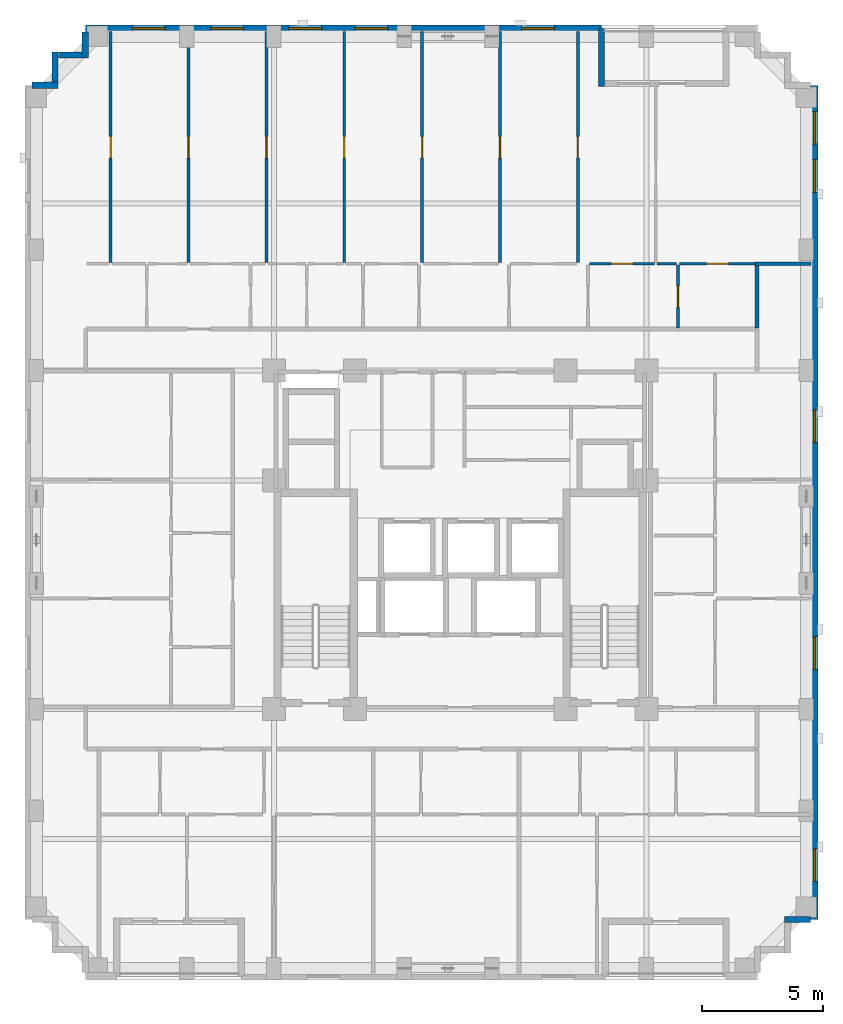
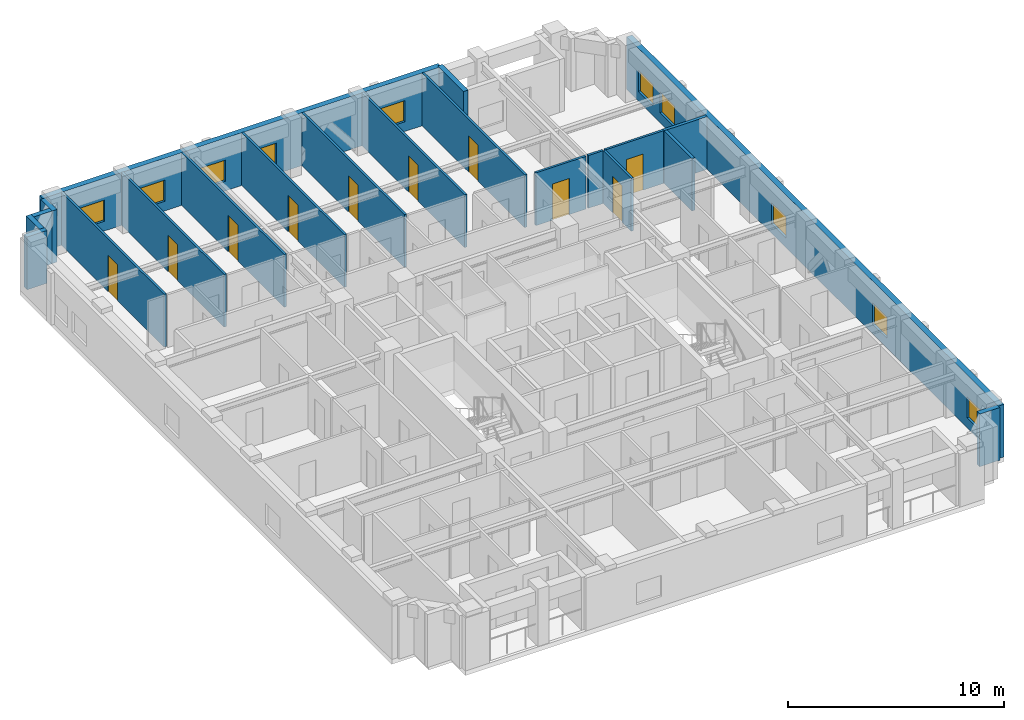
# One storey, part 7 of 11: 21 walls, 10 doors, 10 windows, 20 openings.
"""IFC4 building model written with IfcOpenShell, lengths in metres."""

from ifc_helpers import new_model, si_unit, derived_unit, direction, frame, frame_2d, origin, place, context, subcontext, project, spatial, rectangle, extrude, material, layer, layer_set, type_object, element, fill, save


model = new_model("IFC4")

# Units and contexts
model_context = context("Model", 3, precision=1e-05, world=origin(), true_north=direction((0.0, 1.0)))
body_context = subcontext(model_context, "Body", "Model", "MODEL_VIEW")
ifc_project = project(units=[si_unit("LENGTHUNIT", "METRE"), si_unit("AREAUNIT", "SQUARE_METRE"), si_unit("VOLUMEUNIT", "CUBIC_METRE"), si_unit("PLANEANGLEUNIT", "RADIAN"), si_unit("MASSUNIT", "GRAM", prefix="KILO"), derived_unit("THERMALTRANSMITTANCEUNIT", [(si_unit("MASSUNIT", "GRAM", prefix="KILO"), 1), (si_unit("TIMEUNIT", "SECOND"), -3), (si_unit("THERMODYNAMICTEMPERATUREUNIT", "KELVIN"), -1)])], contexts=[model_context])

# Site, building, storey
site_placement = place(None, origin())
site = spatial("IfcSite", under=ifc_project, at=site_placement, CompositionType="ELEMENT")
building_placement = place(site_placement, origin())
building = spatial("IfcBuilding", under=site, at=building_placement, Name="Korrvale Station Residences", CompositionType="ELEMENT")
storey_placement = place(building_placement, frame((0.0, 0.0, 160.14990234375)))
storey = spatial("IfcBuildingStorey", under=building, at=storey_placement, Name="L46", CompositionType="ELEMENT", Elevation=160.14990234375)

# Walls
ifc_material_1 = material(Name="Precast concrete C45/55", Category="concrete")
ifc_layer_1 = layer(ifc_material_1, 0.260009765625, Name="Precast concrete C45/55")
ifc_layer_set_1 = layer_set([ifc_layer_1], Name="Precast concrete C45/55")
wall_type_1 = type_object("IfcWallType", Name="WAL-EXT-LOG260", PredefinedType="SOLIDWALL", material=ifc_layer_set_1)
wall_1_placement = place(storey_placement, frame((31.35009765625, 43.139892578125, 0.0), z_axis=(0.0, 0.0, 1.0), x_axis=(0.0, -1.0, 0.0)))
element("IfcWall", 1, at=wall_1_placement, inside=storey, type_object=wall_type_1, Name="L46 Recessed Loggia Wall BAL-L46-N1-L", PredefinedType="SOLIDWALL", context=body_context, shape_type="SweptSolid", body=[
    extrude(rectangle(XDim=2.39990234375, YDim=0.260009765625, at=frame_2d((1.199951171875, 0.0))), origin(), (0.0, 0.0, 1.0), 2.989990234375),
])
wall_2_placement = place(storey_placement, frame((7.802001953125, 40.800048828125, 0.0), z_axis=(0.0, 0.0, 1.0), x_axis=(1.0, 0.0, 0.0)))
element("IfcWall", 2, at=wall_2_placement, inside=storey, type_object=wall_type_1, Name="L46 Serrated Corner Precast Step NW-1", PredefinedType="SOLIDWALL", context=body_context, shape_type="SweptSolid", body=[
    extrude(rectangle(XDim=1.077880859375, YDim=0.260009765625, at=frame_2d((0.5390625, 0.0))), origin(), (0.0, 0.0, 1.0), 2.989990234375),
])
wall_3_placement = place(storey_placement, frame((8.75, 40.931884765625, 0.0), z_axis=(0.0, 0.0, 1.0), x_axis=(0.0, 1.0, 0.0)))
element("IfcWall", 3, at=wall_3_placement, inside=storey, type_object=wall_type_1, Name="L46 Serrated Corner Precast Step NW-2", PredefinedType="SOLIDWALL", context=body_context, shape_type="SweptSolid", body=[
    extrude(rectangle(XDim=1.248046875, YDim=0.260009765625, at=frame_2d((0.6240234375, 0.0))), origin(), (0.0, 0.0, 1.0), 2.989990234375),
])
wall_4_placement = place(storey_placement, frame((8.882080078125, 42.050048828125, 0.0), z_axis=(0.0, 0.0, 1.0), x_axis=(1.0, 0.0, 0.0)))
element("IfcWall", 4, at=wall_4_placement, inside=storey, type_object=wall_type_1, Name="L46 Serrated Corner Precast Step NW-3", PredefinedType="SOLIDWALL", context=body_context, shape_type="SweptSolid", body=[
    extrude(rectangle(XDim=0.98583984375, YDim=0.260009765625, at=frame_2d((0.492919921875, 0.0))), origin(), (0.0, 0.0, 1.0), 2.989990234375),
])
for number, where, z_axis, x_axis, name in (
    (5, (10.0, 41.919921875, 0.0), (0.0, 0.0, 1.0), (0.0, 1.0, 0.0), "L46 Serrated Corner Precast Step NW-4"),
    (6, (39.998046875, 6.300048828125, 0.0), (0.0, 0.0, 1.0), (-1.0, 0.0, 0.0), "L46 Serrated Corner Precast Step SE-1"),
):
    element("IfcWall", number, at=place(storey_placement, frame(where, z_axis=z_axis, x_axis=x_axis)), inside=storey, type_object=wall_type_1, Name=name, PredefinedType="SOLIDWALL", context=body_context, shape_type="SweptSolid", body=[
        extrude(rectangle(XDim=1.078125, YDim=0.260009765625, at=frame_2d((0.5390625, 0.0))), origin(), (0.0, 0.0, 1.0), 2.989990234375),
    ])

# Wall, openings, windows
ifc_layer_2 = layer(ifc_material_1, 0.300048828125, Name="Precast concrete C45/55")
ifc_layer_set_2 = layer_set([ifc_layer_2], Name="Precast concrete C45/55")
wall_type_2 = type_object("IfcWallType", Name="WAL-EXT-PC300", PredefinedType="SOLIDWALL", material=ifc_layer_set_2)
wall_5_placement = place(storey_placement, frame((10.0, 43.14990234375, 0.0), z_axis=(0.0, 0.0, 1.0), x_axis=(1.0, 0.0, 0.0)))
wall_5 = element("IfcWall", 7, at=wall_5_placement, inside=storey, type_object=wall_type_2, Name="L46 North Exterior Precast Wall 1", PredefinedType="SOLIDWALL", context=body_context, shape_type="SweptSolid", body=[
    extrude(rectangle(XDim=21.35009765625, YDim=0.300048828125, at=frame_2d((10.675048828125, 0.0))), origin(), (0.0, 0.0, 1.0), 2.989990234375),
])
opening_1_placement = place(wall_5_placement, frame((1.9560546875, 0.0, 0.550048828125)))
opening_1 = element("IfcOpeningElement", 8, at=opening_1_placement, cuts=wall_5, Name="Opening W-10", PredefinedType="OPENING", context=body_context, shape_type="SweptSolid", body=[
    extrude(rectangle(XDim=1.35009765625, YDim=1.199951171875, at=frame_2d((0.675048828125, 0.60009765625))), frame((0.0, 0.16015625, 0.0), z_axis=(0.0, -1.0, 0.0), x_axis=(1.0, 0.0, 0.0)), (0.0, 0.0, 1.0), 0.320068359375),
])
opening_2_placement = place(wall_5_placement, frame((5.18896484375, 0.0, 0.550048828125)))
opening_2 = element("IfcOpeningElement", 9, at=opening_2_placement, cuts=wall_5, Name="Opening W-10", PredefinedType="OPENING", context=body_context, shape_type="SweptSolid", body=[
    extrude(rectangle(XDim=1.35009765625, YDim=1.199951171875, at=frame_2d((0.675048828125, 0.60009765625))), frame((0.0, 0.16015625, 0.0), z_axis=(0.0, -1.0, 0.0), x_axis=(1.0, 0.0, 0.0)), (0.0, 0.0, 1.0), 0.320068359375),
])
opening_3_placement = place(wall_5_placement, frame((8.4208984375, 0.0, 0.550048828125)))
opening_3 = element("IfcOpeningElement", 10, at=opening_3_placement, cuts=wall_5, Name="Opening W-10", PredefinedType="OPENING", context=body_context, shape_type="SweptSolid", body=[
    extrude(rectangle(XDim=1.35009765625, YDim=1.199951171875, at=frame_2d((0.675048828125, 0.60009765625))), frame((0.0, 0.16015625, 0.0), z_axis=(0.0, -1.0, 0.0), x_axis=(1.0, 0.0, 0.0)), (0.0, 0.0, 1.0), 0.320068359375),
])
opening_4_placement = place(wall_5_placement, frame((11.14990234375, 0.0, 0.550048828125)))
opening_4 = element("IfcOpeningElement", 11, at=opening_4_placement, cuts=wall_5, Name="Opening W-10", PredefinedType="OPENING", context=body_context, shape_type="SweptSolid", body=[
    extrude(rectangle(XDim=1.35009765625, YDim=1.199951171875, at=frame_2d((0.675048828125, 0.60009765625))), frame((0.0, 0.16015625, 0.0), z_axis=(0.0, -1.0, 0.0), x_axis=(1.0, 0.0, 0.0)), (0.0, 0.0, 1.0), 0.320068359375),
])
opening_5_placement = place(wall_5_placement, frame((18.0439453125, 0.0, 0.550048828125)))
opening_5 = element("IfcOpeningElement", 12, at=opening_5_placement, cuts=wall_5, Name="Opening W-10", PredefinedType="OPENING", context=body_context, shape_type="SweptSolid", body=[
    extrude(rectangle(XDim=1.35009765625, YDim=1.199951171875, at=frame_2d((0.675048828125, 0.60009765625))), frame((0.0, 0.16015625, 0.0), z_axis=(0.0, -1.0, 0.0), x_axis=(1.0, 0.0, 0.0)), (0.0, 0.0, 1.0), 0.320068359375),
])
ifc_material_2 = material(Name="Thermally broken aluminium frame with triple low-e glazing", Category="aluminium")
window_type = type_object("IfcWindowType", Name="WIN-W10", PartitioningType="SINGLE_PANEL", PredefinedType="WINDOW", material=ifc_material_2)
window_1_placement = place(opening_1_placement, origin())
window_1 = element("IfcWindow", 13, at=window_1_placement, inside=storey, type_object=window_type, Name="L46 Punched Window 08", OverallHeight=1.199951171875, OverallWidth=1.35009765625, PartitioningType="SINGLE_PANEL", PredefinedType="WINDOW", context=body_context, shape_type="SweptSolid", body=[
    extrude(rectangle(XDim=1.35009765625, YDim=1.199951171875, at=frame_2d((0.675048828125, 0.60009765625))), frame((0.0, 0.030029296875, 0.0), z_axis=(0.0, -1.0, 0.0), x_axis=(1.0, 0.0, 0.0)), (0.0, 0.0, 1.0), 0.06005859375),
])
fill(opening_1, window_1)
window_2_placement = place(opening_2_placement, origin())
window_2 = element("IfcWindow", 14, at=window_2_placement, inside=storey, type_object=window_type, Name="L46 Punched Window 09", OverallHeight=1.199951171875, OverallWidth=1.35009765625, PartitioningType="SINGLE_PANEL", PredefinedType="WINDOW", context=body_context, shape_type="SweptSolid", body=[
    extrude(rectangle(XDim=1.35009765625, YDim=1.199951171875, at=frame_2d((0.675048828125, 0.60009765625))), frame((0.0, 0.030029296875, 0.0), z_axis=(0.0, -1.0, 0.0), x_axis=(1.0, 0.0, 0.0)), (0.0, 0.0, 1.0), 0.06005859375),
])
fill(opening_2, window_2)
window_3_placement = place(opening_3_placement, origin())
window_3 = element("IfcWindow", 15, at=window_3_placement, inside=storey, type_object=window_type, Name="L46 Punched Window 10", OverallHeight=1.199951171875, OverallWidth=1.35009765625, PartitioningType="SINGLE_PANEL", PredefinedType="WINDOW", context=body_context, shape_type="SweptSolid", body=[
    extrude(rectangle(XDim=1.35009765625, YDim=1.199951171875, at=frame_2d((0.675048828125, 0.60009765625))), frame((0.0, 0.030029296875, 0.0), z_axis=(0.0, -1.0, 0.0), x_axis=(1.0, 0.0, 0.0)), (0.0, 0.0, 1.0), 0.06005859375),
])
fill(opening_3, window_3)
window_4_placement = place(opening_4_placement, origin())
window_4 = element("IfcWindow", 16, at=window_4_placement, inside=storey, type_object=window_type, Name="L46 Punched Window 11", OverallHeight=1.199951171875, OverallWidth=1.35009765625, PartitioningType="SINGLE_PANEL", PredefinedType="WINDOW", context=body_context, shape_type="SweptSolid", body=[
    extrude(rectangle(XDim=1.35009765625, YDim=1.199951171875, at=frame_2d((0.675048828125, 0.60009765625))), frame((0.0, 0.030029296875, 0.0), z_axis=(0.0, -1.0, 0.0), x_axis=(1.0, 0.0, 0.0)), (0.0, 0.0, 1.0), 0.06005859375),
])
fill(opening_4, window_4)
window_5_placement = place(opening_5_placement, origin())
window_5 = element("IfcWindow", 17, at=window_5_placement, inside=storey, type_object=window_type, Name="L46 Punched Window 12", OverallHeight=1.199951171875, OverallWidth=1.35009765625, PartitioningType="SINGLE_PANEL", PredefinedType="WINDOW", context=body_context, shape_type="SweptSolid", body=[
    extrude(rectangle(XDim=1.35009765625, YDim=1.199951171875, at=frame_2d((0.675048828125, 0.60009765625))), frame((0.0, 0.030029296875, 0.0), z_axis=(0.0, -1.0, 0.0), x_axis=(1.0, 0.0, 0.0)), (0.0, 0.0, 1.0), 0.06005859375),
])
fill(opening_5, window_5)

wall_6_placement = place(storey_placement, frame((40.14990234375, 40.800048828125, 0.0), z_axis=(0.0, 0.0, 1.0), x_axis=(0.0, -1.0, 0.0)))
wall_6 = element("IfcWall", 18, at=wall_6_placement, inside=storey, type_object=wall_type_2, Name="L46 East Exterior Precast Wall 1", PredefinedType="SOLIDWALL", context=body_context, shape_type="SweptSolid", body=[
    extrude(rectangle(XDim=34.5, YDim=0.300048828125, at=frame_2d((17.25, 0.0))), origin(), (0.0, 0.0, 1.0), 2.989990234375),
])
opening_6_placement = place(wall_6_placement, frame((31.574951171875, 0.0, 0.550048828125)))
opening_6 = element("IfcOpeningElement", 19, at=opening_6_placement, cuts=wall_6, Name="Opening W-10", PredefinedType="OPENING", context=body_context, shape_type="SweptSolid", body=[
    extrude(rectangle(XDim=1.35009765625, YDim=1.199951171875, at=frame_2d((0.675048828125, 0.60009765625))), frame((0.0, 0.16015625, 0.0), z_axis=(0.0, -1.0, 0.0), x_axis=(1.0, 0.0, 0.0)), (0.0, 0.0, 1.0), 0.320068359375),
])
opening_7_placement = place(wall_6_placement, frame((3.074951171875, 0.0, 0.550048828125)))
opening_7 = element("IfcOpeningElement", 20, at=opening_7_placement, cuts=wall_6, Name="Opening W-10", PredefinedType="OPENING", context=body_context, shape_type="SweptSolid", body=[
    extrude(rectangle(XDim=1.35009765625, YDim=1.199951171875, at=frame_2d((0.675048828125, 0.60009765625))), frame((0.0, 0.16015625, 0.0), z_axis=(0.0, -1.0, 0.0), x_axis=(1.0, 0.0, 0.0)), (0.0, 0.0, 1.0), 0.320068359375),
])
opening_8_placement = place(wall_6_placement, frame((1.0849609375, 0.0, 0.550048828125)))
opening_8 = element("IfcOpeningElement", 21, at=opening_8_placement, cuts=wall_6, Name="Opening W-10", PredefinedType="OPENING", context=body_context, shape_type="SweptSolid", body=[
    extrude(rectangle(XDim=1.35009765625, YDim=1.199951171875, at=frame_2d((0.675048828125, 0.60009765625))), frame((0.0, 0.16015625, 0.0), z_axis=(0.0, -1.0, 0.0), x_axis=(1.0, 0.0, 0.0)), (0.0, 0.0, 1.0), 0.320068359375),
])
opening_9_placement = place(wall_6_placement, frame((22.800048828125, 0.0, 0.550048828125)))
opening_9 = element("IfcOpeningElement", 22, at=opening_9_placement, cuts=wall_6, Name="Opening W-10", PredefinedType="OPENING", context=body_context, shape_type="SweptSolid", body=[
    extrude(rectangle(XDim=1.35009765625, YDim=1.199951171875, at=frame_2d((0.675048828125, 0.60009765625))), frame((0.0, 0.16015625, 0.0), z_axis=(0.0, -1.0, 0.0), x_axis=(1.0, 0.0, 0.0)), (0.0, 0.0, 1.0), 0.320068359375),
])
opening_10_placement = place(wall_6_placement, frame((13.425048828125, 0.0, 0.550048828125)))
opening_10 = element("IfcOpeningElement", 23, at=opening_10_placement, cuts=wall_6, Name="Opening W-10", PredefinedType="OPENING", context=body_context, shape_type="SweptSolid", body=[
    extrude(rectangle(XDim=1.35009765625, YDim=1.199951171875, at=frame_2d((0.675048828125, 0.60009765625))), frame((0.0, 0.16015625, 0.0), z_axis=(0.0, -1.0, 0.0), x_axis=(1.0, 0.0, 0.0)), (0.0, 0.0, 1.0), 0.320068359375),
])
window_6_placement = place(opening_6_placement, origin())
window_6 = element("IfcWindow", 24, at=window_6_placement, inside=storey, type_object=window_type, Name="L46 Punched Window 05", OverallHeight=1.199951171875, OverallWidth=1.35009765625, PartitioningType="SINGLE_PANEL", PredefinedType="WINDOW", context=body_context, shape_type="SweptSolid", body=[
    extrude(rectangle(XDim=1.35009765625, YDim=1.199951171875, at=frame_2d((0.675048828125, 0.60009765625))), frame((0.0, 0.030029296875, 0.0), z_axis=(0.0, -1.0, 0.0), x_axis=(1.0, 0.0, 0.0)), (0.0, 0.0, 1.0), 0.06005859375),
])
fill(opening_6, window_6)
window_7_placement = place(opening_7_placement, origin())
window_7 = element("IfcWindow", 25, at=window_7_placement, inside=storey, type_object=window_type, Name="L46 Punched Window 14", OverallHeight=1.199951171875, OverallWidth=1.35009765625, PartitioningType="SINGLE_PANEL", PredefinedType="WINDOW", context=body_context, shape_type="SweptSolid", body=[
    extrude(rectangle(XDim=1.35009765625, YDim=1.199951171875, at=frame_2d((0.675048828125, 0.60009765625))), frame((0.0, 0.030029296875, 0.0), z_axis=(0.0, -1.0, 0.0), x_axis=(1.0, 0.0, 0.0)), (0.0, 0.0, 1.0), 0.06005859375),
])
fill(opening_7, window_7)
window_8_placement = place(opening_8_placement, origin())
window_8 = element("IfcWindow", 26, at=window_8_placement, inside=storey, type_object=window_type, Name="L46 Punched Window 15", OverallHeight=1.199951171875, OverallWidth=1.35009765625, PartitioningType="SINGLE_PANEL", PredefinedType="WINDOW", context=body_context, shape_type="SweptSolid", body=[
    extrude(rectangle(XDim=1.35009765625, YDim=1.199951171875, at=frame_2d((0.675048828125, 0.60009765625))), frame((0.0, 0.030029296875, 0.0), z_axis=(0.0, -1.0, 0.0), x_axis=(1.0, 0.0, 0.0)), (0.0, 0.0, 1.0), 0.06005859375),
])
fill(opening_8, window_8)
window_9_placement = place(opening_9_placement, origin())
window_9 = element("IfcWindow", 27, at=window_9_placement, inside=storey, type_object=window_type, Name="L46 Punched Window 18", OverallHeight=1.199951171875, OverallWidth=1.35009765625, PartitioningType="SINGLE_PANEL", PredefinedType="WINDOW", context=body_context, shape_type="SweptSolid", body=[
    extrude(rectangle(XDim=1.35009765625, YDim=1.199951171875, at=frame_2d((0.675048828125, 0.60009765625))), frame((0.0, 0.030029296875, 0.0), z_axis=(0.0, -1.0, 0.0), x_axis=(1.0, 0.0, 0.0)), (0.0, 0.0, 1.0), 0.06005859375),
])
fill(opening_9, window_9)
window_10_placement = place(opening_10_placement, origin())
window_10 = element("IfcWindow", 28, at=window_10_placement, inside=storey, type_object=window_type, Name="L46 Punched Window 19", OverallHeight=1.199951171875, OverallWidth=1.35009765625, PartitioningType="SINGLE_PANEL", PredefinedType="WINDOW", context=body_context, shape_type="SweptSolid", body=[
    extrude(rectangle(XDim=1.35009765625, YDim=1.199951171875, at=frame_2d((0.675048828125, 0.60009765625))), frame((0.0, 0.030029296875, 0.0), z_axis=(0.0, -1.0, 0.0), x_axis=(1.0, 0.0, 0.0)), (0.0, 0.0, 1.0), 0.06005859375),
])
fill(opening_10, window_10)

# Wall, opening, door
ifc_material_3 = material(Name="Acoustic steel-stud gypsum board partition", Category="steel")
ifc_layer_3 = layer(ifc_material_3, 0.1201171875, Name="Acoustic steel-stud gypsum board partition")
ifc_layer_set_3 = layer_set([ifc_layer_3], Name="Acoustic steel-stud gypsum board partition")
wall_type_3 = type_object("IfcWallType", Name="WAL-PART-125", PredefinedType="PARTITIONING", material=ifc_layer_set_3)
wall_7_placement = place(storey_placement, frame((34.510009765625, 30.760009765625, 0.0), z_axis=(0.0, 0.0, 1.0), x_axis=(0.0, 1.0, 0.0)))
wall_7 = element("IfcWall", 29, at=wall_7_placement, inside=storey, type_object=wall_type_3, Name="L46 Suite Partition U04-V78", PredefinedType="PARTITIONING", context=body_context, shape_type="SweptSolid", body=[
    extrude(rectangle(XDim=2.60009765625, YDim=0.1201171875, at=frame_2d((1.300048828125, 0.0))), origin(), (0.0, 0.0, 1.0), 2.989990234375),
])
opening_11_placement = place(wall_7_placement, frame((0.85009765625, 0.0, 0.0)))
opening_11 = element("IfcOpeningElement", 30, at=opening_11_placement, cuts=wall_7, Name="Opening DI-900", PredefinedType="OPENING", context=body_context, shape_type="SweptSolid", body=[
    extrude(rectangle(XDim=0.89990234375, YDim=2.050048828125, at=frame_2d((0.449951171875, 1.02490234375))), frame((0.0, 0.070068359375, 0.0), z_axis=(0.0, -1.0, 0.0), x_axis=(1.0, 0.0, 0.0)), (0.0, 0.0, 1.0), 0.14013671875),
])
ifc_material_4 = material(Name="Painted solid-core timber interior room door", Category="wood")
door_type = type_object("IfcDoorType", Name="DR-INT-900", OperationType="NOTDEFINED", PredefinedType="DOOR", material=ifc_material_4)
door_1_placement = place(opening_11_placement, origin())
door_1 = element("IfcDoor", 31, at=door_1_placement, inside=storey, type_object=door_type, Name="L46 Studio Apartment L46-U04 Storage Closet 3 Door", OperationType="SINGLE_SWING_RIGHT", OverallHeight=2.050048828125, OverallWidth=0.89990234375, PredefinedType="DOOR", context=body_context, shape_type="SweptSolid", body=[
    extrude(rectangle(XDim=0.89990234375, YDim=2.050048828125, at=frame_2d((0.449951171875, 1.02490234375))), frame((0.0, 0.02490234375, 0.0), z_axis=(0.0, -1.0, 0.0), x_axis=(1.0, 0.0, 0.0)), (0.0, 0.0, 1.0), 0.050048828125),
])
fill(opening_11, door_1)

wall_8_placement = place(storey_placement, frame((30.85009765625, 33.419921875, 0.0), z_axis=(0.0, 0.0, 1.0), x_axis=(1.0, 0.0, 0.0)))
wall_8 = element("IfcWall", 32, at=wall_8_placement, inside=storey, type_object=wall_type_3, Name="L46 Suite Partition U04-H716", PredefinedType="PARTITIONING", context=body_context, shape_type="SweptSolid", body=[
    extrude(rectangle(XDim=2.679931640625, YDim=0.1201171875, at=frame_2d((1.33984375, 0.0))), origin(), (0.0, 0.0, 1.0), 2.989990234375),
])
opening_12_placement = place(wall_8_placement, frame((0.889892578125, 0.0, 0.0)))
opening_12 = element("IfcOpeningElement", 33, at=opening_12_placement, cuts=wall_8, Name="Opening DI-900", PredefinedType="OPENING", context=body_context, shape_type="SweptSolid", body=[
    extrude(rectangle(XDim=0.89990234375, YDim=2.050048828125, at=frame_2d((0.449951171875, 1.02490234375))), frame((0.0, 0.070068359375, 0.0), z_axis=(0.0, -1.0, 0.0), x_axis=(1.0, 0.0, 0.0)), (0.0, 0.0, 1.0), 0.14013671875),
])
door_2_placement = place(opening_12_placement, origin())
door_2 = element("IfcDoor", 34, at=door_2_placement, inside=storey, type_object=door_type, Name="L46 Studio Apartment L46-U04 Storage Closet 3 Door", OperationType="SINGLE_SWING_LEFT", OverallHeight=2.050048828125, OverallWidth=0.89990234375, PredefinedType="DOOR", context=body_context, shape_type="SweptSolid", body=[
    extrude(rectangle(XDim=0.89990234375, YDim=2.050048828125, at=frame_2d((0.449951171875, 1.02490234375))), frame((0.0, 0.02490234375, 0.0), z_axis=(0.0, -1.0, 0.0), x_axis=(1.0, 0.0, 0.0)), (0.0, 0.0, 1.0), 0.050048828125),
])
fill(opening_12, door_2)

# Wall
wall_9_placement = place(storey_placement, frame((33.64990234375, 33.419921875, 0.0), z_axis=(0.0, 0.0, 1.0), x_axis=(1.0, 0.0, 0.0)))
element("IfcWall", 35, at=wall_9_placement, inside=storey, type_object=wall_type_3, Name="L46 Suite Partition U04-H717", PredefinedType="PARTITIONING", context=body_context, shape_type="SweptSolid", body=[
    extrude(rectangle(XDim=0.800048828125, YDim=0.1201171875, at=frame_2d((0.39990234375, 0.0))), origin(), (0.0, 0.0, 1.0), 2.989990234375),
])

# Wall, opening, door
wall_10_placement = place(storey_placement, frame((34.570068359375, 33.419921875, 0.0), z_axis=(0.0, 0.0, 1.0), x_axis=(1.0, 0.0, 0.0)))
wall_10 = element("IfcWall", 36, at=wall_10_placement, inside=storey, type_object=wall_type_3, Name="L46 Suite Partition U04-H817", PredefinedType="PARTITIONING", context=body_context, shape_type="SweptSolid", body=[
    extrude(rectangle(XDim=3.14990234375, YDim=0.1201171875, at=frame_2d((1.574951171875, 0.0))), origin(), (0.0, 0.0, 1.0), 2.989990234375),
])
opening_13_placement = place(wall_10_placement, frame((1.125, 0.0, 0.0)))
opening_13 = element("IfcOpeningElement", 37, at=opening_13_placement, cuts=wall_10, Name="Opening DI-900", PredefinedType="OPENING", context=body_context, shape_type="SweptSolid", body=[
    extrude(rectangle(XDim=0.89990234375, YDim=2.050048828125, at=frame_2d((0.449951171875, 1.02490234375))), frame((0.0, 0.070068359375, 0.0), z_axis=(0.0, -1.0, 0.0), x_axis=(1.0, 0.0, 0.0)), (0.0, 0.0, 1.0), 0.14013671875),
])
door_3_placement = place(opening_13_placement, origin())
door_3 = element("IfcDoor", 38, at=door_3_placement, inside=storey, type_object=door_type, Name="L46 Studio Apartment L46-U04 Storage Closet 4 Door", OperationType="SINGLE_SWING_RIGHT", OverallHeight=2.050048828125, OverallWidth=0.89990234375, PredefinedType="DOOR", context=body_context, shape_type="SweptSolid", body=[
    extrude(rectangle(XDim=0.89990234375, YDim=2.050048828125, at=frame_2d((0.449951171875, 1.02490234375))), frame((0.0, 0.02490234375, 0.0), z_axis=(0.0, -1.0, 0.0), x_axis=(1.0, 0.0, 0.0)), (0.0, 0.0, 1.0), 0.050048828125),
])
fill(opening_13, door_3)

wall_11_placement = place(storey_placement, frame((11.050048828125, 33.47998046875, 0.0), z_axis=(0.0, 0.0, 1.0), x_axis=(0.0, 1.0, 0.0)))
wall_11 = element("IfcWall", 39, at=wall_11_placement, inside=storey, type_object=wall_type_3, Name="L46 Suite Partition U04-V910", PredefinedType="PARTITIONING", context=body_context, shape_type="SweptSolid", body=[
    extrude(rectangle(XDim=9.5400390625, YDim=0.1201171875, at=frame_2d((4.77001953125, 0.0))), origin(), (0.0, 0.0, 1.0), 2.989990234375),
])
opening_14_placement = place(wall_11_placement, frame((4.304931640625, 0.0, 0.0)))
opening_14 = element("IfcOpeningElement", 40, at=opening_14_placement, cuts=wall_11, Name="Opening DI-900", PredefinedType="OPENING", context=body_context, shape_type="SweptSolid", body=[
    extrude(rectangle(XDim=0.89990234375, YDim=2.050048828125, at=frame_2d((0.449951171875, 1.02490234375))), frame((0.0, 0.070068359375, 0.0), z_axis=(0.0, -1.0, 0.0), x_axis=(1.0, 0.0, 0.0)), (0.0, 0.0, 1.0), 0.14013671875),
])
door_4_placement = place(opening_14_placement, origin())
door_4 = element("IfcDoor", 41, at=door_4_placement, inside=storey, type_object=door_type, Name="L46 Studio Apartment L46-U04 Walk-In Wardrobe Door", OperationType="SINGLE_SWING_LEFT", OverallHeight=2.050048828125, OverallWidth=0.89990234375, PredefinedType="DOOR", context=body_context, shape_type="SweptSolid", body=[
    extrude(rectangle(XDim=0.89990234375, YDim=2.050048828125, at=frame_2d((0.449951171875, 1.02490234375))), frame((0.0, 0.02490234375, 0.0), z_axis=(0.0, -1.0, 0.0), x_axis=(1.0, 0.0, 0.0)), (0.0, 0.0, 1.0), 0.050048828125),
])
fill(opening_14, door_4)

wall_12_placement = place(storey_placement, frame((14.27001953125, 33.47998046875, 0.0), z_axis=(0.0, 0.0, 1.0), x_axis=(0.0, 1.0, 0.0)))
wall_12 = element("IfcWall", 42, at=wall_12_placement, inside=storey, type_object=wall_type_3, Name="L46 Suite Partition U04-V1011", PredefinedType="PARTITIONING", context=body_context, shape_type="SweptSolid", body=[
    extrude(rectangle(XDim=9.5400390625, YDim=0.1201171875, at=frame_2d((4.77001953125, 0.0))), origin(), (0.0, 0.0, 1.0), 2.989990234375),
])
opening_15_placement = place(wall_12_placement, frame((4.304931640625, 0.0, 0.0)))
opening_15 = element("IfcOpeningElement", 43, at=opening_15_placement, cuts=wall_12, Name="Opening DI-900", PredefinedType="OPENING", context=body_context, shape_type="SweptSolid", body=[
    extrude(rectangle(XDim=0.89990234375, YDim=2.050048828125, at=frame_2d((0.449951171875, 1.02490234375))), frame((0.0, 0.070068359375, 0.0), z_axis=(0.0, -1.0, 0.0), x_axis=(1.0, 0.0, 0.0)), (0.0, 0.0, 1.0), 0.14013671875),
])
door_5_placement = place(opening_15_placement, origin())
door_5 = element("IfcDoor", 44, at=door_5_placement, inside=storey, type_object=door_type, Name="L46 Studio Apartment L46-U04 Formal Dining Room Door", OperationType="SINGLE_SWING_RIGHT", OverallHeight=2.050048828125, OverallWidth=0.89990234375, PredefinedType="DOOR", context=body_context, shape_type="SweptSolid", body=[
    extrude(rectangle(XDim=0.89990234375, YDim=2.050048828125, at=frame_2d((0.449951171875, 1.02490234375))), frame((0.0, 0.02490234375, 0.0), z_axis=(0.0, -1.0, 0.0), x_axis=(1.0, 0.0, 0.0)), (0.0, 0.0, 1.0), 0.050048828125),
])
fill(opening_15, door_5)

wall_13_placement = place(storey_placement, frame((17.489990234375, 33.47998046875, 0.0), z_axis=(0.0, 0.0, 1.0), x_axis=(0.0, 1.0, 0.0)))
wall_13 = element("IfcWall", 45, at=wall_13_placement, inside=storey, type_object=wall_type_3, Name="L46 Suite Partition U04-V1112", PredefinedType="PARTITIONING", context=body_context, shape_type="SweptSolid", body=[
    extrude(rectangle(XDim=9.5400390625, YDim=0.1201171875, at=frame_2d((4.77001953125, 0.0))), origin(), (0.0, 0.0, 1.0), 2.989990234375),
])
opening_16_placement = place(wall_13_placement, frame((4.304931640625, 0.0, 0.0)))
opening_16 = element("IfcOpeningElement", 46, at=opening_16_placement, cuts=wall_13, Name="Opening DI-900", PredefinedType="OPENING", context=body_context, shape_type="SweptSolid", body=[
    extrude(rectangle(XDim=0.89990234375, YDim=2.050048828125, at=frame_2d((0.449951171875, 1.02490234375))), frame((0.0, 0.070068359375, 0.0), z_axis=(0.0, -1.0, 0.0), x_axis=(1.0, 0.0, 0.0)), (0.0, 0.0, 1.0), 0.14013671875),
])
door_6_placement = place(opening_16_placement, origin())
door_6 = element("IfcDoor", 47, at=door_6_placement, inside=storey, type_object=door_type, Name="L46 Studio Apartment L46-U04 Formal Dining Room Door", OperationType="SINGLE_SWING_LEFT", OverallHeight=2.050048828125, OverallWidth=0.89990234375, PredefinedType="DOOR", context=body_context, shape_type="SweptSolid", body=[
    extrude(rectangle(XDim=0.89990234375, YDim=2.050048828125, at=frame_2d((0.449951171875, 1.02490234375))), frame((0.0, 0.02490234375, 0.0), z_axis=(0.0, -1.0, 0.0), x_axis=(1.0, 0.0, 0.0)), (0.0, 0.0, 1.0), 0.050048828125),
])
fill(opening_16, door_6)

wall_14_placement = place(storey_placement, frame((20.7099609375, 33.47998046875, 0.0), z_axis=(0.0, 0.0, 1.0), x_axis=(0.0, 1.0, 0.0)))
wall_14 = element("IfcWall", 48, at=wall_14_placement, inside=storey, type_object=wall_type_3, Name="L46 Suite Partition U04-V1213", PredefinedType="PARTITIONING", context=body_context, shape_type="SweptSolid", body=[
    extrude(rectangle(XDim=9.5400390625, YDim=0.1201171875, at=frame_2d((4.77001953125, 0.0))), origin(), (0.0, 0.0, 1.0), 2.989990234375),
])
opening_17_placement = place(wall_14_placement, frame((4.304931640625, 0.0, 0.0)))
opening_17 = element("IfcOpeningElement", 49, at=opening_17_placement, cuts=wall_14, Name="Opening DI-900", PredefinedType="OPENING", context=body_context, shape_type="SweptSolid", body=[
    extrude(rectangle(XDim=0.89990234375, YDim=2.050048828125, at=frame_2d((0.449951171875, 1.02490234375))), frame((0.0, 0.070068359375, 0.0), z_axis=(0.0, -1.0, 0.0), x_axis=(1.0, 0.0, 0.0)), (0.0, 0.0, 1.0), 0.14013671875),
])
door_7_placement = place(opening_17_placement, origin())
door_7 = element("IfcDoor", 50, at=door_7_placement, inside=storey, type_object=door_type, Name="L46 Studio Apartment L46-U04 Formal Dining Room Door", OperationType="SINGLE_SWING_RIGHT", OverallHeight=2.050048828125, OverallWidth=0.89990234375, PredefinedType="DOOR", context=body_context, shape_type="SweptSolid", body=[
    extrude(rectangle(XDim=0.89990234375, YDim=2.050048828125, at=frame_2d((0.449951171875, 1.02490234375))), frame((0.0, 0.02490234375, 0.0), z_axis=(0.0, -1.0, 0.0), x_axis=(1.0, 0.0, 0.0)), (0.0, 0.0, 1.0), 0.050048828125),
])
fill(opening_17, door_7)

wall_15_placement = place(storey_placement, frame((23.929931640625, 33.47998046875, 0.0), z_axis=(0.0, 0.0, 1.0), x_axis=(0.0, 1.0, 0.0)))
wall_15 = element("IfcWall", 51, at=wall_15_placement, inside=storey, type_object=wall_type_3, Name="L46 Suite Partition U04-V1314", PredefinedType="PARTITIONING", context=body_context, shape_type="SweptSolid", body=[
    extrude(rectangle(XDim=9.5400390625, YDim=0.1201171875, at=frame_2d((4.77001953125, 0.0))), origin(), (0.0, 0.0, 1.0), 2.989990234375),
])
opening_18_placement = place(wall_15_placement, frame((4.304931640625, 0.0, 0.0)))
opening_18 = element("IfcOpeningElement", 52, at=opening_18_placement, cuts=wall_15, Name="Opening DI-900", PredefinedType="OPENING", context=body_context, shape_type="SweptSolid", body=[
    extrude(rectangle(XDim=0.89990234375, YDim=2.050048828125, at=frame_2d((0.449951171875, 1.02490234375))), frame((0.0, 0.070068359375, 0.0), z_axis=(0.0, -1.0, 0.0), x_axis=(1.0, 0.0, 0.0)), (0.0, 0.0, 1.0), 0.14013671875),
])
door_8_placement = place(opening_18_placement, origin())
door_8 = element("IfcDoor", 53, at=door_8_placement, inside=storey, type_object=door_type, Name="L46 Studio Apartment L46-U04 Formal Dining Room Door", OperationType="SINGLE_SWING_LEFT", OverallHeight=2.050048828125, OverallWidth=0.89990234375, PredefinedType="DOOR", context=body_context, shape_type="SweptSolid", body=[
    extrude(rectangle(XDim=0.89990234375, YDim=2.050048828125, at=frame_2d((0.449951171875, 1.02490234375))), frame((0.0, 0.02490234375, 0.0), z_axis=(0.0, -1.0, 0.0), x_axis=(1.0, 0.0, 0.0)), (0.0, 0.0, 1.0), 0.050048828125),
])
fill(opening_18, door_8)

wall_16_placement = place(storey_placement, frame((27.14990234375, 33.47998046875, 0.0), z_axis=(0.0, 0.0, 1.0), x_axis=(0.0, 1.0, 0.0)))
wall_16 = element("IfcWall", 54, at=wall_16_placement, inside=storey, type_object=wall_type_3, Name="L46 Suite Partition U04-V1415", PredefinedType="PARTITIONING", context=body_context, shape_type="SweptSolid", body=[
    extrude(rectangle(XDim=9.5400390625, YDim=0.1201171875, at=frame_2d((4.77001953125, 0.0))), origin(), (0.0, 0.0, 1.0), 2.989990234375),
])
opening_19_placement = place(wall_16_placement, frame((4.304931640625, 0.0, 0.0)))
opening_19 = element("IfcOpeningElement", 55, at=opening_19_placement, cuts=wall_16, Name="Opening DI-900", PredefinedType="OPENING", context=body_context, shape_type="SweptSolid", body=[
    extrude(rectangle(XDim=0.89990234375, YDim=2.050048828125, at=frame_2d((0.449951171875, 1.02490234375))), frame((0.0, 0.070068359375, 0.0), z_axis=(0.0, -1.0, 0.0), x_axis=(1.0, 0.0, 0.0)), (0.0, 0.0, 1.0), 0.14013671875),
])
door_9_placement = place(opening_19_placement, origin())
door_9 = element("IfcDoor", 56, at=door_9_placement, inside=storey, type_object=door_type, Name="L46 Studio Apartment L46-U04 Walk-In Wardrobe Door", OperationType="SINGLE_SWING_RIGHT", OverallHeight=2.050048828125, OverallWidth=0.89990234375, PredefinedType="DOOR", context=body_context, shape_type="SweptSolid", body=[
    extrude(rectangle(XDim=0.89990234375, YDim=2.050048828125, at=frame_2d((0.449951171875, 1.02490234375))), frame((0.0, 0.02490234375, 0.0), z_axis=(0.0, -1.0, 0.0), x_axis=(1.0, 0.0, 0.0)), (0.0, 0.0, 1.0), 0.050048828125),
])
fill(opening_19, door_9)

wall_17_placement = place(storey_placement, frame((30.3701171875, 33.47998046875, 0.0), z_axis=(0.0, 0.0, 1.0), x_axis=(0.0, 1.0, 0.0)))
wall_17 = element("IfcWall", 57, at=wall_17_placement, inside=storey, type_object=wall_type_3, Name="L46 Suite Partition U04-V1516", PredefinedType="PARTITIONING", context=body_context, shape_type="SweptSolid", body=[
    extrude(rectangle(XDim=9.5400390625, YDim=0.1201171875, at=frame_2d((4.77001953125, 0.0))), origin(), (0.0, 0.0, 1.0), 2.989990234375),
])
opening_20_placement = place(wall_17_placement, frame((4.304931640625, 0.0, 0.0)))
opening_20 = element("IfcOpeningElement", 58, at=opening_20_placement, cuts=wall_17, Name="Opening DI-900", PredefinedType="OPENING", context=body_context, shape_type="SweptSolid", body=[
    extrude(rectangle(XDim=0.89990234375, YDim=2.050048828125, at=frame_2d((0.449951171875, 1.02490234375))), frame((0.0, 0.070068359375, 0.0), z_axis=(0.0, -1.0, 0.0), x_axis=(1.0, 0.0, 0.0)), (0.0, 0.0, 1.0), 0.14013671875),
])
door_10_placement = place(opening_20_placement, origin())
door_10 = element("IfcDoor", 59, at=door_10_placement, inside=storey, type_object=door_type, Name="L46 Studio Apartment L46-U04 Formal Dining Room Door", OperationType="SINGLE_SWING_LEFT", OverallHeight=2.050048828125, OverallWidth=0.89990234375, PredefinedType="DOOR", context=body_context, shape_type="SweptSolid", body=[
    extrude(rectangle(XDim=0.89990234375, YDim=2.050048828125, at=frame_2d((0.449951171875, 1.02490234375))), frame((0.0, 0.02490234375, 0.0), z_axis=(0.0, -1.0, 0.0), x_axis=(1.0, 0.0, 0.0)), (0.0, 0.0, 1.0), 0.050048828125),
])
fill(opening_20, door_10)

# Walls
ifc_material_5 = material(Name="Fire-rated twin-stud gypsum and mineral wool shaftwall assembly", Category="gypsum")
ifc_layer_4 = layer(ifc_material_5, 0.159912109375, Name="Fire-rated twin-stud gypsum and mineral wool shaftwall assembly")
ifc_layer_set_4 = layer_set([ifc_layer_4], Name="Fire-rated twin-stud gypsum and mineral wool shaftwall assembly")
wall_type_4 = type_object("IfcWallType", Name="WAL-PART-200", PredefinedType="PARTITIONING", material=ifc_layer_set_4)
wall_18_placement = place(storey_placement, frame((37.679931640625, 33.419921875, 0.0), z_axis=(0.0, 0.0, 1.0), x_axis=(1.0, 0.0, 0.0)))
element("IfcWall", 60, at=wall_18_placement, inside=storey, type_object=wall_type_4, Name="L46 Corner Step Wall U04-R", PredefinedType="PARTITIONING", context=body_context, shape_type="SweptSolid", body=[
    extrude(rectangle(XDim=2.340087890625, YDim=0.159912109375, at=frame_2d((1.169921875, 0.0))), origin(), (0.0, 0.0, 1.0), 2.989990234375),
])
wall_19_placement = place(storey_placement, frame((37.780029296875, 30.760009765625, 0.0), z_axis=(0.0, 0.0, 1.0), x_axis=(0.0, 1.0, 0.0)))
element("IfcWall", 61, at=wall_19_placement, inside=storey, type_object=wall_type_4, Name="L46 Corner Step Cheek U04-R", PredefinedType="PARTITIONING", context=body_context, shape_type="SweptSolid", body=[
    extrude(rectangle(XDim=2.659912109375, YDim=0.159912109375, at=frame_2d((1.330078125, 0.0))), origin(), (0.0, 0.0, 1.0), 2.989990234375),
])

save(model, "model.ifc")
